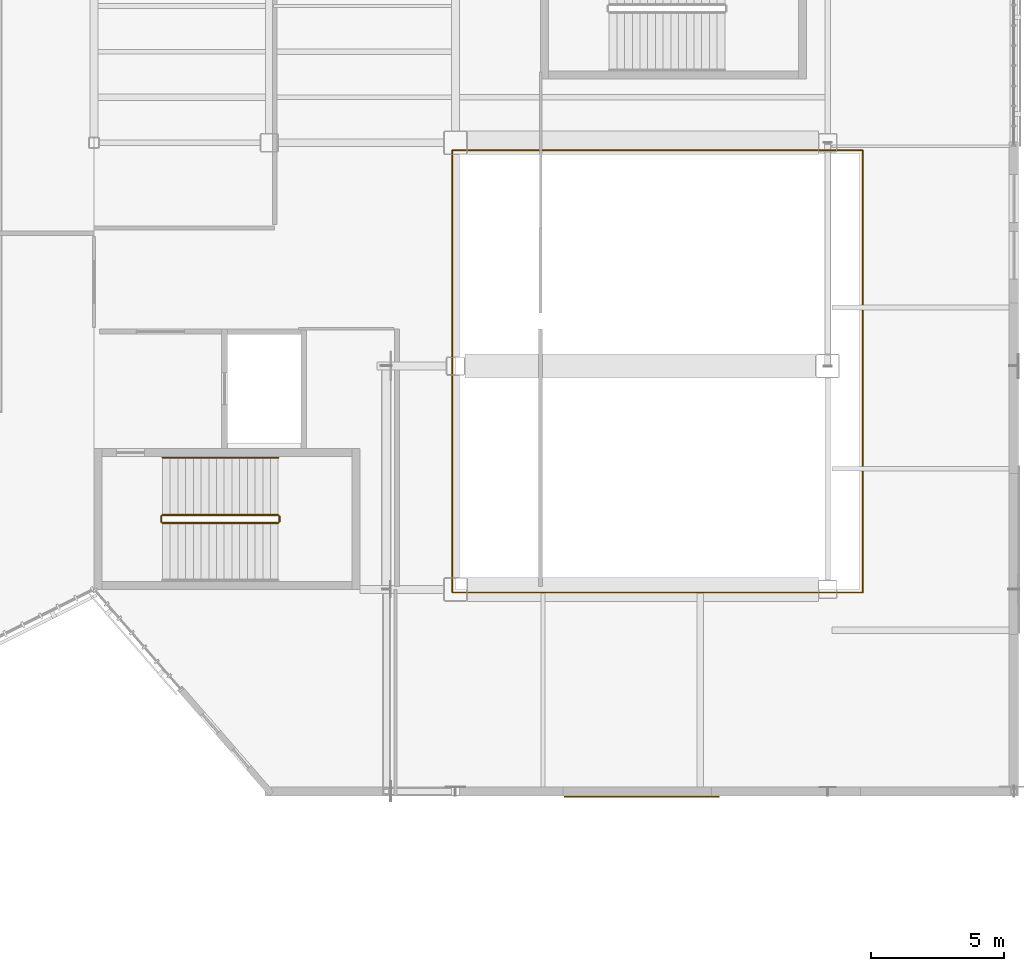
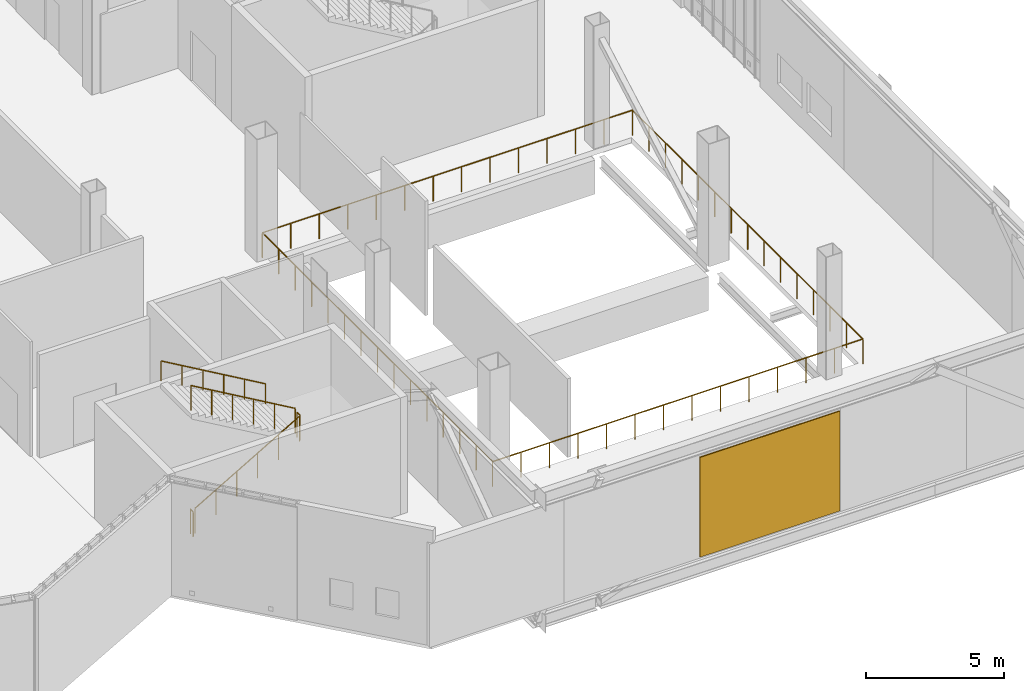
# One storey, part 121 of 127: 6 railings, 1 covering.
"""IFC4 building model written with IfcOpenShell, lengths in metres."""

from ifc_helpers import new_model, si_unit, direction, frame, origin, origin_2d, place, context, subcontext, project, spatial, rectangle, circle, extrude, material, layer, layer_set, type_object, element, save


model = new_model("IFC4")

# Units and contexts
model_context = context("Model", 3, precision=1e-05, world=origin(), true_north=direction((0.0, 1.0)))
body_context = subcontext(model_context, "Body", "Model", "MODEL_VIEW")
ifc_project = project(units=[si_unit("LENGTHUNIT", "METRE"), si_unit("AREAUNIT", "SQUARE_METRE"), si_unit("VOLUMEUNIT", "CUBIC_METRE"), si_unit("PLANEANGLEUNIT", "RADIAN"), si_unit("MASSUNIT", "GRAM", prefix="KILO")], contexts=[model_context])

# Site, building, storey
site_placement = place(None, origin())
site = spatial("IfcSite", under=ifc_project, at=site_placement, CompositionType="ELEMENT")
building_placement = place(site_placement, origin())
building = spatial("IfcBuilding", under=site, at=building_placement, Name="Larkvane Passage Sports Hall", CompositionType="ELEMENT")
storey_placement = place(building_placement, frame((0.0, 0.0, 5.39990234375)))
storey = spatial("IfcBuildingStorey", under=building, at=storey_placement, Name="L01", CompositionType="ELEMENT", Elevation=5.39990234375)

# Covering
ifc_material_1 = material(Name="Perforated anodised aluminium 5052-H32", Category="aluminium")
ifc_layer = layer(ifc_material_1, 0.050048828125)
ifc_layer_set = layer_set([ifc_layer], Name="Perforated anodised aluminium 5052-H32")
covering_type = type_object("IfcCoveringType", Name="COV-MESH-VEIL", PredefinedType="CLADDING", material=ifc_layer_set)
covering_placement = place(storey_placement, frame((138.60009765625, 15.00244140625, 0.0751953125), z_axis=(0.0, 0.0, 1.0), x_axis=(-1.0, 0.0, 0.0)))
element("IfcCovering", 1, at=covering_placement, inside=storey, type_object=covering_type, Name="Perforated cladding cassette L01-104", PredefinedType="CLADDING", context=body_context, shape_type="SweptSolid", body=[
    extrude(rectangle(XDim=5.831298828125, YDim=0.050048828125, at=origin_2d()), origin(), (0.0, 0.0, 1.0), 4.39990234375),
])

# Railings
ifc_material_2 = material(Name="Laminated toughened glass and stainless steel S355JR", Category="steel")
railing_type_1 = type_object("IfcRailingType", Name="RL-BALUST-1120", PredefinedType="BALUSTRADE", material=ifc_material_2)
railing_1_placement = place(storey_placement, frame((131.47998046875, 22.679931640625, 0.0)))
element("IfcRailing", 2, at=railing_1_placement, inside=storey, type_object=railing_type_1, Name="Atrium void balustrade L01-005", PredefinedType="BALUSTRADE", context=body_context, shape_type="SweptSolid", body=[
    extrude(circle(Radius=0.02392578125, at=origin_2d()), frame((0.001953125, 0.0, 1.09619140625), z_axis=(1.0, 0.0, 0.0), x_axis=(0.0, 1.0, 0.0)), (0.0, 0.0, 1.0), 15.43603515625),
    extrude(circle(Radius=0.02392578125, at=origin_2d()), frame((15.43994140625, 0.001953125, 1.09619140625), z_axis=(0.0, 1.0, 0.0), x_axis=(-1.0, 0.0, 0.0)), (0.0, 0.0, 1.0), 16.63623046875),
    extrude(circle(Radius=0.02392578125, at=origin_2d()), frame((15.43798828125, 16.64013671875, 1.09619140625), z_axis=(-1.0, 0.0, 0.0), x_axis=(0.0, -1.0, 0.0)), (0.0, 0.0, 1.0), 15.43603515625),
    extrude(circle(Radius=0.02392578125, at=origin_2d()), frame((0.0, 16.63818359375, 1.09619140625), z_axis=(0.0, -1.0, 0.0), x_axis=(1.0, 0.0, 0.0)), (0.0, 0.0, 1.0), 16.63623046875),
    extrude(circle(Radius=0.02099609375, at=origin_2d()), origin(), (0.0, 0.0, 1.0), 1.072021484375),
    extrude(circle(Radius=0.02099609375, at=origin_2d()), frame((1.187744140625, 0.0, 0.0)), (0.0, 0.0, 1.0), 1.072021484375),
    extrude(circle(Radius=0.02099609375, at=origin_2d()), frame((2.37548828125, 0.0, 0.0)), (0.0, 0.0, 1.0), 1.072021484375),
    extrude(circle(Radius=0.02099609375, at=origin_2d()), frame((3.56298828125, 0.0, 0.0)), (0.0, 0.0, 1.0), 1.072021484375),
    extrude(circle(Radius=0.02099609375, at=origin_2d()), frame((4.750732421875, 0.0, 0.0)), (0.0, 0.0, 1.0), 1.072021484375),
    extrude(circle(Radius=0.02099609375, at=origin_2d()), frame((5.9384765625, 0.0, 0.0)), (0.0, 0.0, 1.0), 1.072021484375),
    extrude(circle(Radius=0.02099609375, at=origin_2d()), frame((7.126220703125, 0.0, 0.0)), (0.0, 0.0, 1.0), 1.072021484375),
    extrude(circle(Radius=0.02099609375, at=origin_2d()), frame((8.313720703125, 0.0, 0.0)), (0.0, 0.0, 1.0), 1.072021484375),
    extrude(circle(Radius=0.02099609375, at=origin_2d()), frame((9.50146484375, 0.0, 0.0)), (0.0, 0.0, 1.0), 1.072021484375),
    extrude(circle(Radius=0.02099609375, at=origin_2d()), frame((10.689208984375, 0.0, 0.0)), (0.0, 0.0, 1.0), 1.072021484375),
    extrude(circle(Radius=0.02099609375, at=origin_2d()), frame((11.876953125, 0.0, 0.0)), (0.0, 0.0, 1.0), 1.072021484375),
    extrude(circle(Radius=0.02099609375, at=origin_2d()), frame((13.064453125, 0.0, 0.0)), (0.0, 0.0, 1.0), 1.072021484375),
    extrude(circle(Radius=0.02099609375, at=origin_2d()), frame((14.252197265625, 0.0, 0.0)), (0.0, 0.0, 1.0), 1.072021484375),
    extrude(circle(Radius=0.02099609375, at=origin_2d()), frame((15.43994140625, 0.0, 0.0)), (0.0, 0.0, 1.0), 1.072021484375),
    extrude(circle(Radius=0.02099609375, at=origin_2d()), frame((15.43994140625, 1.1884765625, 0.0)), (0.0, 0.0, 1.0), 1.072021484375),
    extrude(circle(Radius=0.02099609375, at=origin_2d()), frame((15.43994140625, 2.377197265625, 0.0)), (0.0, 0.0, 1.0), 1.072021484375),
    extrude(circle(Radius=0.02099609375, at=origin_2d()), frame((15.43994140625, 3.565673828125, 0.0)), (0.0, 0.0, 1.0), 1.072021484375),
    extrude(circle(Radius=0.02099609375, at=origin_2d()), frame((15.43994140625, 4.75439453125, 0.0)), (0.0, 0.0, 1.0), 1.072021484375),
    extrude(circle(Radius=0.02099609375, at=origin_2d()), frame((15.43994140625, 5.94287109375, 0.0)), (0.0, 0.0, 1.0), 1.072021484375),
    extrude(circle(Radius=0.02099609375, at=origin_2d()), frame((15.43994140625, 7.131591796875, 0.0)), (0.0, 0.0, 1.0), 1.072021484375),
    extrude(circle(Radius=0.02099609375, at=origin_2d()), frame((15.43994140625, 8.320068359375, 0.0)), (0.0, 0.0, 1.0), 1.072021484375),
    extrude(circle(Radius=0.02099609375, at=origin_2d()), frame((15.43994140625, 9.508544921875, 0.0)), (0.0, 0.0, 1.0), 1.072021484375),
    extrude(circle(Radius=0.02099609375, at=origin_2d()), frame((15.43994140625, 10.697265625, 0.0)), (0.0, 0.0, 1.0), 1.072021484375),
    extrude(circle(Radius=0.02099609375, at=origin_2d()), frame((15.43994140625, 11.8857421875, 0.0)), (0.0, 0.0, 1.0), 1.072021484375),
    extrude(circle(Radius=0.02099609375, at=origin_2d()), frame((15.43994140625, 13.074462890625, 0.0)), (0.0, 0.0, 1.0), 1.072021484375),
    extrude(circle(Radius=0.02099609375, at=origin_2d()), frame((15.43994140625, 14.262939453125, 0.0)), (0.0, 0.0, 1.0), 1.072021484375),
    extrude(circle(Radius=0.02099609375, at=origin_2d()), frame((15.43994140625, 15.45166015625, 0.0)), (0.0, 0.0, 1.0), 1.072021484375),
    extrude(circle(Radius=0.02099609375, at=origin_2d()), frame((15.43994140625, 16.64013671875, 0.0)), (0.0, 0.0, 1.0), 1.072021484375),
    extrude(circle(Radius=0.02099609375, at=origin_2d()), frame((14.252197265625, 16.64013671875, 0.0)), (0.0, 0.0, 1.0), 1.072021484375),
    extrude(circle(Radius=0.02099609375, at=origin_2d()), frame((13.064453125, 16.64013671875, 0.0)), (0.0, 0.0, 1.0), 1.072021484375),
    extrude(circle(Radius=0.02099609375, at=origin_2d()), frame((11.876953125, 16.64013671875, 0.0)), (0.0, 0.0, 1.0), 1.072021484375),
    extrude(circle(Radius=0.02099609375, at=origin_2d()), frame((10.689208984375, 16.64013671875, 0.0)), (0.0, 0.0, 1.0), 1.072021484375),
    extrude(circle(Radius=0.02099609375, at=origin_2d()), frame((9.50146484375, 16.64013671875, 0.0)), (0.0, 0.0, 1.0), 1.072021484375),
    extrude(circle(Radius=0.02099609375, at=origin_2d()), frame((8.313720703125, 16.64013671875, 0.0)), (0.0, 0.0, 1.0), 1.072021484375),
    extrude(circle(Radius=0.02099609375, at=origin_2d()), frame((7.126220703125, 16.64013671875, 0.0)), (0.0, 0.0, 1.0), 1.072021484375),
    extrude(circle(Radius=0.02099609375, at=origin_2d()), frame((5.9384765625, 16.64013671875, 0.0)), (0.0, 0.0, 1.0), 1.072021484375),
    extrude(circle(Radius=0.02099609375, at=origin_2d()), frame((4.750732421875, 16.64013671875, 0.0)), (0.0, 0.0, 1.0), 1.072021484375),
    extrude(circle(Radius=0.02099609375, at=origin_2d()), frame((3.56298828125, 16.64013671875, 0.0)), (0.0, 0.0, 1.0), 1.072021484375),
    extrude(circle(Radius=0.02099609375, at=origin_2d()), frame((2.37548828125, 16.64013671875, 0.0)), (0.0, 0.0, 1.0), 1.072021484375),
    extrude(circle(Radius=0.02099609375, at=origin_2d()), frame((1.187744140625, 16.64013671875, 0.0)), (0.0, 0.0, 1.0), 1.072021484375),
    extrude(circle(Radius=0.02099609375, at=origin_2d()), frame((0.0, 16.64013671875, 0.0)), (0.0, 0.0, 1.0), 1.072021484375),
    extrude(circle(Radius=0.02099609375, at=origin_2d()), frame((0.0, 15.45166015625, 0.0)), (0.0, 0.0, 1.0), 1.072021484375),
    extrude(circle(Radius=0.02099609375, at=origin_2d()), frame((0.0, 14.262939453125, 0.0)), (0.0, 0.0, 1.0), 1.072021484375),
    extrude(circle(Radius=0.02099609375, at=origin_2d()), frame((0.0, 13.074462890625, 0.0)), (0.0, 0.0, 1.0), 1.072021484375),
    extrude(circle(Radius=0.02099609375, at=origin_2d()), frame((0.0, 11.8857421875, 0.0)), (0.0, 0.0, 1.0), 1.072021484375),
    extrude(circle(Radius=0.02099609375, at=origin_2d()), frame((0.0, 10.697265625, 0.0)), (0.0, 0.0, 1.0), 1.072021484375),
    extrude(circle(Radius=0.02099609375, at=origin_2d()), frame((0.0, 9.508544921875, 0.0)), (0.0, 0.0, 1.0), 1.072021484375),
    extrude(circle(Radius=0.02099609375, at=origin_2d()), frame((0.0, 8.320068359375, 0.0)), (0.0, 0.0, 1.0), 1.072021484375),
    extrude(circle(Radius=0.02099609375, at=origin_2d()), frame((0.0, 7.131591796875, 0.0)), (0.0, 0.0, 1.0), 1.072021484375),
    extrude(circle(Radius=0.02099609375, at=origin_2d()), frame((0.0, 5.94287109375, 0.0)), (0.0, 0.0, 1.0), 1.072021484375),
    extrude(circle(Radius=0.02099609375, at=origin_2d()), frame((0.0, 4.75439453125, 0.0)), (0.0, 0.0, 1.0), 1.072021484375),
    extrude(circle(Radius=0.02099609375, at=origin_2d()), frame((0.0, 3.565673828125, 0.0)), (0.0, 0.0, 1.0), 1.072021484375),
    extrude(circle(Radius=0.02099609375, at=origin_2d()), frame((0.0, 2.377197265625, 0.0)), (0.0, 0.0, 1.0), 1.072021484375),
    extrude(circle(Radius=0.02099609375, at=origin_2d()), frame((0.0, 1.1884765625, 0.0)), (0.0, 0.0, 1.0), 1.072021484375),
])
ifc_material_3 = material(Name="Steel S355JR", Category="steel")
railing_type_2 = type_object("IfcRailingType", Name="RL-GUARD-1120", PredefinedType="GUARDRAIL", material=ifc_material_3)
railing_2_placement = place(storey_placement, frame((120.580078125, 25.300048828125, 0.1689453125)))
element("IfcRailing", 3, at=railing_2_placement, inside=storey, type_object=railing_type_2, Name="L01 ST-05 stair guard 1", PredefinedType="GUARDRAIL", context=body_context, shape_type="SweptSolid", body=[
    extrude(circle(Radius=0.02392578125, at=origin_2d()), frame((0.001708984375, 0.0, 1.09716796875), z_axis=(0.864311530196, 0.0, 0.502956835891), x_axis=(0.0, 1.0, 0.0)), (0.0, 0.0, 1.0), 5.02880859375),
    extrude(circle(Radius=0.02099609375, at=origin_2d()), origin(), (0.0, 0.0, 1.0), 1.072021484375),
    extrude(circle(Radius=0.02099609375, at=origin_2d()), frame((0.869873046875, 0.0, 0.50634765625)), (0.0, 0.0, 1.0), 1.072021484375),
    extrude(circle(Radius=0.02099609375, at=origin_2d()), frame((1.739990234375, 0.0, 1.012451171875)), (0.0, 0.0, 1.0), 1.072021484375),
    extrude(circle(Radius=0.02099609375, at=origin_2d()), frame((2.60986328125, 0.0, 1.518798828125)), (0.0, 0.0, 1.0), 1.072021484375),
    extrude(circle(Radius=0.02099609375, at=origin_2d()), frame((3.47998046875, 0.0, 2.02490234375)), (0.0, 0.0, 1.0), 1.072021484375),
    extrude(circle(Radius=0.02099609375, at=origin_2d()), frame((4.349853515625, 0.0, 2.53125)), (0.0, 0.0, 1.0), 1.072021484375),
])
railing_3_placement = place(storey_placement, frame((124.97998046875, 25.35009765625, 2.7001953125)))
element("IfcRailing", 4, at=railing_3_placement, inside=storey, type_object=railing_type_2, Name="L01 ST-05 stair guard 2", PredefinedType="GUARDRAIL", context=body_context, shape_type="SweptSolid", body=[
    extrude(circle(Radius=0.02392578125, at=origin_2d()), frame((0.0, 0.001953125, 1.09619140625), z_axis=(0.0, 1.0, 0.0), x_axis=(-1.0, 0.0, 0.0)), (0.0, 0.0, 1.0), 0.196044921875),
    extrude(circle(Radius=0.02099609375, at=origin_2d()), origin(), (0.0, 0.0, 1.0), 1.072021484375),
    extrude(circle(Radius=0.02099609375, at=origin_2d()), frame((0.0, 0.199951171875, 0.0)), (0.0, 0.0, 1.0), 1.072021484375),
])
railing_4_placement = place(storey_placement, frame((124.929931640625, 25.60009765625, 2.868896484375)))
element("IfcRailing", 5, at=railing_4_placement, inside=storey, type_object=railing_type_2, Name="L01 ST-05 stair guard 3", PredefinedType="GUARDRAIL", context=body_context, shape_type="SweptSolid", body=[
    extrude(circle(Radius=0.02392578125, at=origin_2d()), frame((-0.001708984375, 0.0, 1.09716796875), z_axis=(-0.864311530196, 0.0, 0.502956835891), x_axis=(0.0, -1.0, 0.0)), (0.0, 0.0, 1.0), 5.02880859375),
    extrude(circle(Radius=0.02099609375, at=origin_2d()), origin(), (0.0, 0.0, 1.0), 1.072021484375),
    extrude(circle(Radius=0.02099609375, at=origin_2d()), frame((-0.869873046875, 0.0, 0.50634765625)), (0.0, 0.0, 1.0), 1.072021484375),
    extrude(circle(Radius=0.02099609375, at=origin_2d()), frame((-1.739990234375, 0.0, 1.012451171875)), (0.0, 0.0, 1.0), 1.072021484375),
    extrude(circle(Radius=0.02099609375, at=origin_2d()), frame((-2.60986328125, 0.0, 1.518798828125)), (0.0, 0.0, 1.0), 1.072021484375),
    extrude(circle(Radius=0.02099609375, at=origin_2d()), frame((-3.47998046875, 0.0, 2.02490234375)), (0.0, 0.0, 1.0), 1.072021484375),
    extrude(circle(Radius=0.02099609375, at=origin_2d()), frame((-4.349853515625, 0.0, 2.53125)), (0.0, 0.0, 1.0), 1.072021484375),
])
railing_5_placement = place(storey_placement, frame((120.530029296875, 25.35009765625, 0.0)))
element("IfcRailing", 6, at=railing_5_placement, inside=storey, type_object=railing_type_2, Name="L01 ST-05 stair guard 4", PredefinedType="GUARDRAIL", context=body_context, shape_type="SweptSolid", body=[
    extrude(circle(Radius=0.02392578125, at=origin_2d()), frame((0.0, 0.001953125, 1.09619140625), z_axis=(0.0, 1.0, 0.0), x_axis=(-1.0, 0.0, 0.0)), (0.0, 0.0, 1.0), 0.196044921875),
    extrude(circle(Radius=0.02099609375, at=origin_2d()), origin(), (0.0, 0.0, 1.0), 1.072021484375),
    extrude(circle(Radius=0.02099609375, at=origin_2d()), frame((0.0, 0.199951171875, 0.0)), (0.0, 0.0, 1.0), 1.072021484375),
])
ifc_material_4 = material(Name="Stainless steel S355JR", Category="steel")
railing_type_3 = type_object("IfcRailingType", Name="RL-HAND-920", PredefinedType="HANDRAIL", material=ifc_material_4)
railing_6_placement = place(storey_placement, frame((124.929931640625, 27.75, 2.868896484375)))
element("IfcRailing", 7, at=railing_6_placement, inside=storey, type_object=railing_type_3, Name="L01 ST-05 stair handrail 2", PredefinedType="HANDRAIL", context=body_context, shape_type="SweptSolid", body=[
    extrude(circle(Radius=0.02392578125, at=origin_2d()), frame((-0.001708984375, 0.0, 0.876953125), z_axis=(-0.864311530196, 0.0, 0.502956835891), x_axis=(0.0, -1.0, 0.0)), (0.0, 0.0, 1.0), 5.02880859375),
    extrude(circle(Radius=0.02099609375, at=origin_2d()), origin(), (0.0, 0.0, 1.0), 0.851806640625),
    extrude(circle(Radius=0.02099609375, at=origin_2d()), frame((-0.869873046875, 0.0, 0.50634765625)), (0.0, 0.0, 1.0), 0.851806640625),
    extrude(circle(Radius=0.02099609375, at=origin_2d()), frame((-1.739990234375, 0.0, 1.012451171875)), (0.0, 0.0, 1.0), 0.851806640625),
    extrude(circle(Radius=0.02099609375, at=origin_2d()), frame((-2.60986328125, 0.0, 1.518798828125)), (0.0, 0.0, 1.0), 0.851806640625),
    extrude(circle(Radius=0.02099609375, at=origin_2d()), frame((-3.47998046875, 0.0, 2.02490234375)), (0.0, 0.0, 1.0), 0.851806640625),
    extrude(circle(Radius=0.02099609375, at=origin_2d()), frame((-4.349853515625, 0.0, 2.53125)), (0.0, 0.0, 1.0), 0.851806640625),
])

save(model, "model.ifc")
